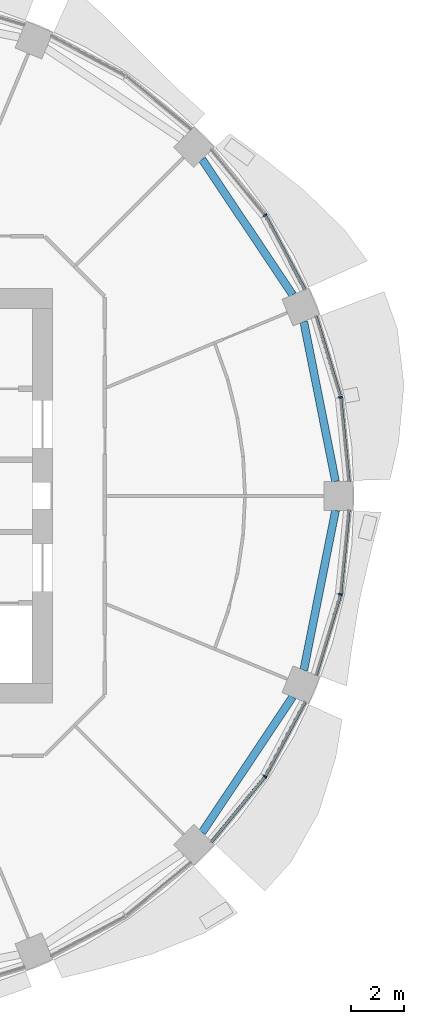
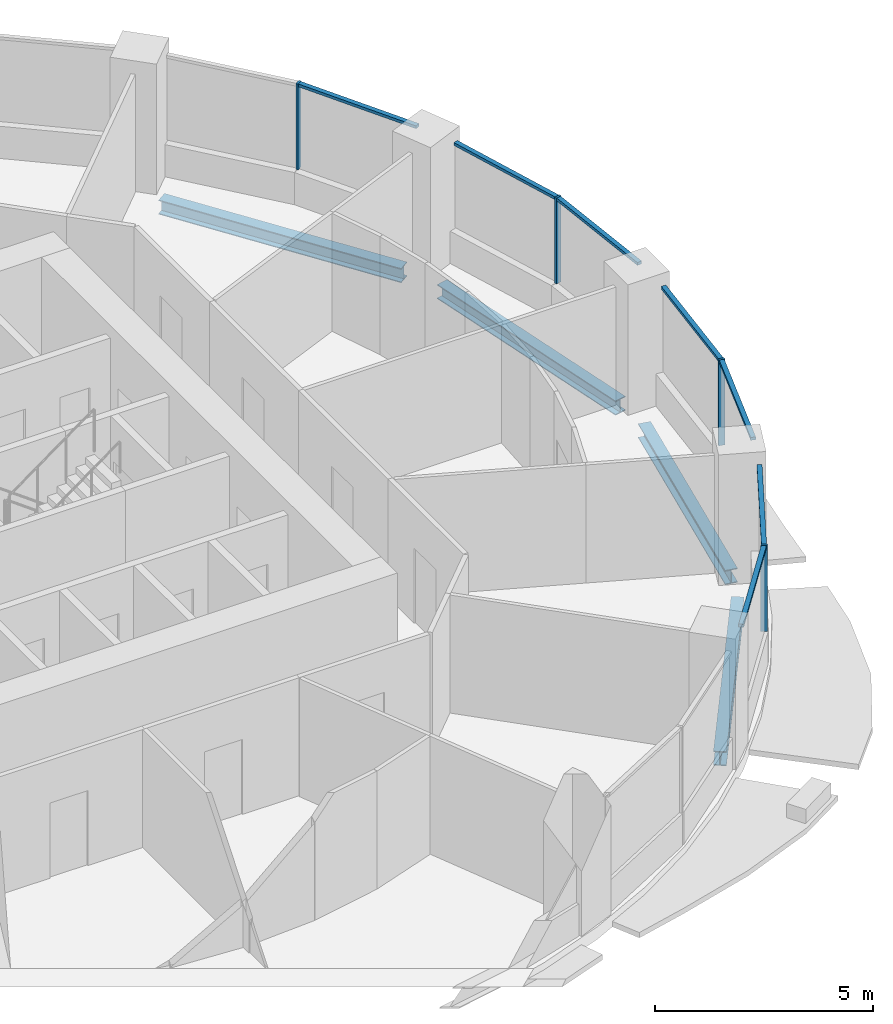
# One storey, part 5 of 15: 11 members, 4 beams, 4 elements without a shape of their own.
"""IFC4 building model written with IfcOpenShell, lengths in metres."""

from ifc_helpers import new_model, si_unit, direction, frame, origin, origin_2d, place, context, subcontext, project, spatial, rectangle, i_section, extrude, material, material_profile, profile_set, type_object, element, aggregate, save


model = new_model("IFC4")

# Units and contexts
model_context = context("Model", 3, precision=1e-05, world=origin(), true_north=direction((0.0, 1.0)))
body_context = subcontext(model_context, "Body", "Model", "MODEL_VIEW")
ifc_project = project(units=[si_unit("LENGTHUNIT", "METRE"), si_unit("AREAUNIT", "SQUARE_METRE"), si_unit("VOLUMEUNIT", "CUBIC_METRE"), si_unit("PLANEANGLEUNIT", "RADIAN"), si_unit("MASSUNIT", "GRAM", prefix="KILO")], contexts=[model_context])

# Site, building, storey
site_placement = place(None, origin())
site = spatial("IfcSite", under=ifc_project, at=site_placement, CompositionType="ELEMENT")
building_placement = place(site_placement, origin())
building = spatial("IfcBuilding", under=site, at=building_placement, Name="Polderwave Tower", CompositionType="ELEMENT")
storey_placement = place(building_placement, frame((0.0, 0.0, 83.699951171875)))
storey = spatial("IfcBuildingStorey", under=building, at=storey_placement, Name="L21", CompositionType="ELEMENT", Elevation=83.699951171875)

# Curtain wall, member
ifc_material_1 = material(Name="Aluminium 6063-T6 and glass", Category="aluminium")
curtain_wall_type = type_object("IfcCurtainWallType", Name="Growing floor ribbon glazing wall", PredefinedType="NOTDEFINED", material=ifc_material_1)
curtain_wall_1_placement = place(storey_placement, origin())
curtain_wall_1 = element("IfcCurtainWall", 1, at=curtain_wall_1_placement, inside=storey, type_object=curtain_wall_type, Name="CW2 L21 00", PredefinedType="NOTDEFINED")
ifc_material_2 = material(Name="Aluminium 6063-T6", Category="aluminium")
ifc_material_profile_1 = material_profile(ifc_material_2, rectangle(XDim=0.14990234375, YDim=0.06005859375, at=origin_2d()), Name="AL 60x150")
ifc_profile_set_1 = profile_set([ifc_material_profile_1], Name="Aluminium 6063-T6")
member_type_1 = type_object("IfcMemberType", Name="Growing floor ribbon glazing mullion 60x150", PredefinedType="MULLION", material=ifc_profile_set_1)
member_1_placement = place(storey_placement, frame((18.8310546875, 3.74609375, 0.900146484375), z_axis=(0.0, 0.0, 1.0), x_axis=(-0.980783918392, -0.195097169184, 0.0)))
member_1 = element("IfcMember", 2, at=member_1_placement, type_object=member_type_1, Name="CW2 mullion 1", PredefinedType="MULLION", context=body_context, shape_type="SweptSolid", body=[
    extrude(rectangle(XDim=0.14990234375, YDim=0.06005859375, at=origin_2d()), origin(), (0.0, 0.0, 1.0), 2.39990234375),
])

curtain_wall_2_placement = place(storey_placement, origin())
curtain_wall_2 = element("IfcCurtainWall", 3, at=curtain_wall_2_placement, inside=storey, type_object=curtain_wall_type, Name="CW2 L21 01", PredefinedType="NOTDEFINED")
member_2_placement = place(storey_placement, frame((15.964111328125, 10.6669921875, 0.900146484375), z_axis=(0.0, 0.0, 1.0), x_axis=(-0.831444400469, -0.555607963342, 0.0)))
member_2 = element("IfcMember", 4, at=member_2_placement, type_object=member_type_1, Name="CW2 mullion 1", PredefinedType="MULLION", context=body_context, shape_type="SweptSolid", body=[
    extrude(rectangle(XDim=0.14990234375, YDim=0.06005859375, at=origin_2d()), origin(), (0.0, 0.0, 1.0), 2.39990234375),
])

curtain_wall_3_placement = place(storey_placement, origin())
curtain_wall_3 = element("IfcCurtainWall", 5, at=curtain_wall_3_placement, inside=storey, type_object=curtain_wall_type, Name="CW2 L21 14", PredefinedType="NOTDEFINED")
member_3_placement = place(storey_placement, frame((15.964111328125, -10.6669921875, 0.900146484375), z_axis=(0.0, 0.0, 1.0), x_axis=(-0.831444400469, 0.555607963342, 0.0)))
member_3 = element("IfcMember", 6, at=member_3_placement, type_object=member_type_1, Name="CW2 mullion 1", PredefinedType="MULLION", context=body_context, shape_type="SweptSolid", body=[
    extrude(rectangle(XDim=0.14990234375, YDim=0.06005859375, at=origin_2d()), origin(), (0.0, 0.0, 1.0), 2.39990234375),
])

curtain_wall_4_placement = place(storey_placement, origin())
curtain_wall_4 = element("IfcCurtainWall", 7, at=curtain_wall_4_placement, inside=storey, type_object=curtain_wall_type, Name="CW2 L21 15", PredefinedType="NOTDEFINED")
member_4_placement = place(storey_placement, frame((18.8310546875, -3.74609375, 0.900146484375), z_axis=(0.0, 0.0, 1.0), x_axis=(-0.980783918392, 0.195097169184, 0.0)))
member_4 = element("IfcMember", 8, at=member_4_placement, type_object=member_type_1, Name="CW2 mullion 1", PredefinedType="MULLION", context=body_context, shape_type="SweptSolid", body=[
    extrude(rectangle(XDim=0.14990234375, YDim=0.06005859375, at=origin_2d()), origin(), (0.0, 0.0, 1.0), 2.39990234375),
])

# Member
ifc_material_profile_2 = material_profile(ifc_material_2, rectangle(XDim=0.1201171875, YDim=0.080078125, at=origin_2d()), Name="AL 80x120")
ifc_profile_set_2 = profile_set([ifc_material_profile_2], Name="Aluminium 6063-T6")
member_type_2 = type_object("IfcMemberType", Name="Growing floor ribbon glazing transom 80x120", PredefinedType="USERDEFINED", material=ifc_profile_set_2)
member_5_placement = place(storey_placement, frame((19.14599609375, 0.550048828125, 3.260009765625), z_axis=(-0.098075167681, 0.995179009769, 0.0), x_axis=(-0.995179009769, -0.098075167681, 0.0)))
member_5 = element("IfcMember", 9, at=member_5_placement, type_object=member_type_2, Name="CW2 transom 1", ObjectType="TRANSOM", PredefinedType="USERDEFINED", context=body_context, shape_type="SweptSolid", body=[
    extrude(rectangle(XDim=0.1201171875, YDim=0.080078125, at=origin_2d()), origin(), (0.0, 0.0, 1.0), 3.181396484375),
])

member_6_placement = place(storey_placement, frame((18.822265625, 3.774658203125, 3.260009765625), z_axis=(-0.290233155766, 0.95695596309, 0.0), x_axis=(-0.95695596309, -0.290233155766, 0.0)))
member_6 = element("IfcMember", 10, at=member_6_placement, type_object=member_type_2, Name="CW2 transom 2", ObjectType="TRANSOM", PredefinedType="USERDEFINED", context=body_context, shape_type="SweptSolid", body=[
    extrude(rectangle(XDim=0.1201171875, YDim=0.080078125, at=origin_2d()), origin(), (0.0, 0.0, 1.0), 3.181396484375),
])

aggregate(curtain_wall_1, [member_1, member_5, member_6])

member_7_placement = place(storey_placement, frame((17.47802734375, 7.8349609375, 3.260009765625), z_axis=(-0.471512085827, 0.881859599323, 0.0), x_axis=(-0.881859599323, -0.471512085827, 0.0)))
member_7 = element("IfcMember", 11, at=member_7_placement, type_object=member_type_2, Name="CW2 transom 1", ObjectType="TRANSOM", PredefinedType="USERDEFINED", context=body_context, shape_type="SweptSolid", body=[
    extrude(rectangle(XDim=0.1201171875, YDim=0.080078125, at=origin_2d()), origin(), (0.0, 0.0, 1.0), 3.18115234375),
])

aggregate(curtain_wall_2, [member_2, member_7])

member_8_placement = place(storey_placement, frame((13.927001953125, -13.14892578125, 3.260009765625), z_axis=(0.634436573251, 0.772974924898, 0.0), x_axis=(-0.772974924898, 0.634436573251, 0.0)))
member_8 = element("IfcMember", 12, at=member_8_placement, type_object=member_type_2, Name="CW2 transom 1", ObjectType="TRANSOM", PredefinedType="USERDEFINED", context=body_context, shape_type="SweptSolid", body=[
    extrude(rectangle(XDim=0.1201171875, YDim=0.080078125, at=origin_2d()), origin(), (0.0, 0.0, 1.0), 3.180908203125),
])

member_9_placement = place(storey_placement, frame((15.97802734375, -10.640380859375, 3.260009765625), z_axis=(0.471512085827, 0.881859599323, 0.0), x_axis=(-0.881859599323, 0.471512085827, 0.0)))
member_9 = element("IfcMember", 13, at=member_9_placement, type_object=member_type_2, Name="CW2 transom 2", ObjectType="TRANSOM", PredefinedType="USERDEFINED", context=body_context, shape_type="SweptSolid", body=[
    extrude(rectangle(XDim=0.1201171875, YDim=0.080078125, at=origin_2d()), origin(), (0.0, 0.0, 1.0), 3.18115234375),
])

aggregate(curtain_wall_3, [member_3, member_8, member_9])

member_10_placement = place(storey_placement, frame((17.89892578125, -6.819091796875, 3.260009765625), z_axis=(0.290233155766, 0.95695596309, 0.0), x_axis=(-0.95695596309, 0.290233155766, 0.0)))
member_10 = element("IfcMember", 14, at=member_10_placement, type_object=member_type_2, Name="CW2 transom 1", ObjectType="TRANSOM", PredefinedType="USERDEFINED", context=body_context, shape_type="SweptSolid", body=[
    extrude(rectangle(XDim=0.1201171875, YDim=0.080078125, at=origin_2d()), origin(), (0.0, 0.0, 1.0), 3.181396484375),
])

member_11_placement = place(storey_placement, frame((18.833984375, -3.716064453125, 3.260009765625), z_axis=(0.098075167681, 0.995179009769, 0.0), x_axis=(-0.995179009769, 0.098075167681, 0.0)))
member_11 = element("IfcMember", 15, at=member_11_placement, type_object=member_type_2, Name="CW2 transom 2", ObjectType="TRANSOM", PredefinedType="USERDEFINED", context=body_context, shape_type="SweptSolid", body=[
    extrude(rectangle(XDim=0.1201171875, YDim=0.080078125, at=origin_2d()), origin(), (0.0, 0.0, 1.0), 3.181396484375),
])

aggregate(curtain_wall_4, [member_4, member_10, member_11])

# Beams
ifc_material_3 = material(Name="Steel S355", Category="steel")
ifc_material_profile_3 = material_profile(ifc_material_3, i_section(OverallWidth=0.300048828125, OverallDepth=0.39990234375, WebThickness=0.013427734375, FlangeThickness=0.02392578125, at=origin_2d()), Name="HE 400 B")
ifc_profile_set_3 = profile_set([ifc_material_profile_3], Name="Steel S355")
beam_type = type_object("IfcBeamType", Name="RING BEAM HE 400 B", PredefinedType="BEAM", material=ifc_profile_set_3)
for number, where, z_axis, x_axis, name in (
    (16, (18.640625, 0.550048828125, -0.550048828125), (-0.195100355977, 0.980783284471, 0.0), (-0.980783284471, -0.195100355977, 0.0), "ST-RB-L21-00"),
    (17, (17.01123046875, 7.6416015625, -0.550048828125), (-0.555573051966, 0.831467728736, 0.0), (-0.831467728736, -0.555573051966, 0.0), "ST-RB-L21-01"),
    (18, (13.56982421875, -12.7919921875, -0.550048828125), (0.555573051966, 0.831467728736, 0.0), (-0.831467728736, 0.555573051966, 0.0), "ST-RB-L21-14"),
    (19, (17.43212890625, -6.625244140625, -0.550048828125), (0.195100355977, 0.980783284471, 0.0), (-0.980783284471, 0.195100355977, 0.0), "ST-RB-L21-15"),
):
    element("IfcBeam", number, at=place(storey_placement, frame(where, z_axis=z_axis, x_axis=x_axis)), inside=storey, type_object=beam_type, Name=name, PredefinedType="BEAM", context=body_context, shape_type="SweptSolid", body=[
        extrude(i_section(OverallWidth=0.300048828125, OverallDepth=0.39990234375, WebThickness=0.013427734375, FlangeThickness=0.02392578125, at=origin_2d()), origin(), (0.0, 0.0, 1.0), 6.1943359375),
    ])

save(model, "model.ifc")
